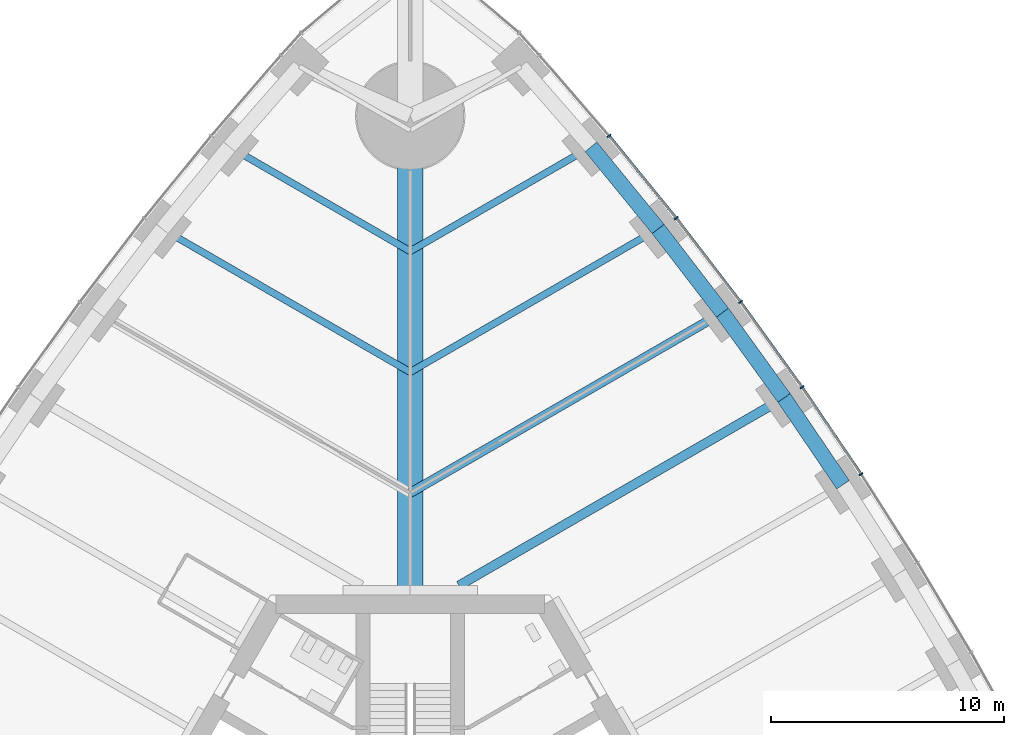
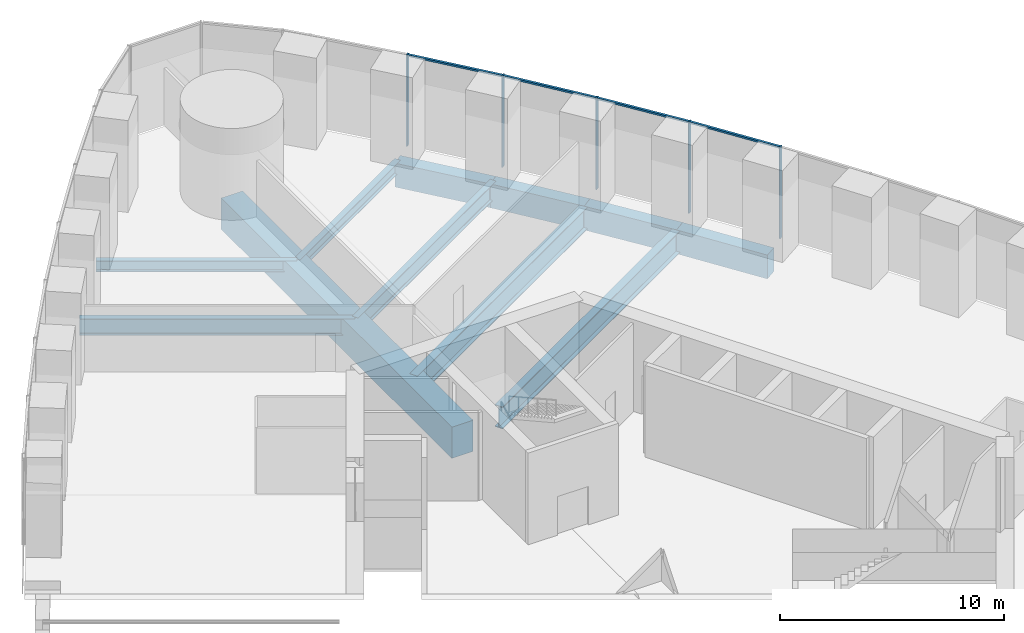
# One storey, part 10 of 21: 11 beams, 9 members, 1 element without a shape of its own.
"""IFC4 building model written with IfcOpenShell, lengths in metres."""

from ifc_helpers import new_model, si_unit, direction, frame, origin, origin_2d, place, context, subcontext, project, spatial, rectangle, i_section, extrude, material, material_profile, profile_set, type_object, element, aggregate, save


model = new_model("IFC4")

# Units and contexts
model_context = context("Model", 3, precision=1e-05, world=origin(), true_north=direction((0.0, 1.0)))
body_context = subcontext(model_context, "Body", "Model", "MODEL_VIEW")
ifc_project = project(units=[si_unit("LENGTHUNIT", "METRE"), si_unit("AREAUNIT", "SQUARE_METRE"), si_unit("VOLUMEUNIT", "CUBIC_METRE"), si_unit("PLANEANGLEUNIT", "RADIAN"), si_unit("MASSUNIT", "GRAM", prefix="KILO")], contexts=[model_context])

# Site, building, storey
site_placement = place(None, origin())
site = spatial("IfcSite", under=ifc_project, at=site_placement, CompositionType="ELEMENT")
building_placement = place(site_placement, origin())
building = spatial("IfcBuilding", under=site, at=building_placement, Name="Trefoil Bronze Tower", CompositionType="ELEMENT")
storey_placement = place(building_placement, frame((0.0, 0.0, 6.5)))
storey = spatial("IfcBuildingStorey", under=building, at=storey_placement, Name="L01", CompositionType="ELEMENT", Elevation=6.5)

# Curtain wall, members
ifc_material_1 = material(Name="Tinted solar-control glass", Category="glass")
curtain_wall_type = type_object("IfcCurtainWallType", Name="Bronze podium storefront curtain wall", PredefinedType="USERDEFINED", material=ifc_material_1)
curtain_wall_placement = place(storey_placement, origin())
curtain_wall = element("IfcCurtainWall", 1, at=curtain_wall_placement, inside=storey, type_object=curtain_wall_type, Name="CW-C L01 F2", ObjectType="CURTAIN WALL", PredefinedType="USERDEFINED")
ifc_material_2 = material(Name="Bronze-finish aluminium", Category="aluminium")
ifc_material_profile_1 = material_profile(ifc_material_2, rectangle(XDim=0.199951171875, YDim=0.06005859375, at=origin_2d()), Name="CW-C mullion")
ifc_profile_set_1 = profile_set([ifc_material_profile_1], Name="Bronze-finish aluminium")
member_type_1 = type_object("IfcMemberType", Name="Bronze podium storefront curtain wall mullion", PredefinedType="MULLION", material=ifc_profile_set_1)
member_1_placement = place(storey_placement, frame((19.38818359375, 21.5927734375, 0.0), z_axis=(0.0, 0.0, 1.0), x_axis=(-0.835543651684, -0.549424067665, 0.0)))
member_1 = element("IfcMember", 2, at=member_1_placement, type_object=member_type_1, Name="CW-C L01 F2 mullion 11", PredefinedType="MULLION", context=body_context, shape_type="SweptSolid", body=[
    extrude(rectangle(XDim=0.199951171875, YDim=0.06005859375, at=origin_2d()), origin(), (0.0, 0.0, 1.0), 4.97998046875),
])
member_2_placement = place(storey_placement, frame((16.853271484375, 25.32861328125, 0.0), z_axis=(0.0, 0.0, 1.0), x_axis=(-0.819204207116, -0.573501932903, 0.0)))
member_2 = element("IfcMember", 3, at=member_2_placement, type_object=member_type_1, Name="CW-C L01 F2 mullion 12", PredefinedType="MULLION", context=body_context, shape_type="SweptSolid", body=[
    extrude(rectangle(XDim=0.199951171875, YDim=0.06005859375, at=origin_2d()), origin(), (0.0, 0.0, 1.0), 4.97998046875),
])
member_3_placement = place(storey_placement, frame((14.20361328125, 28.99853515625, 0.0), z_axis=(0.0, 0.0, 1.0), x_axis=(-0.802126748469, -0.59715381552, 0.0)))
member_3 = element("IfcMember", 4, at=member_3_placement, type_object=member_type_1, Name="CW-C L01 F2 mullion 13", PredefinedType="MULLION", context=body_context, shape_type="SweptSolid", body=[
    extrude(rectangle(XDim=0.199951171875, YDim=0.06005859375, at=origin_2d()), origin(), (0.0, 0.0, 1.0), 4.97998046875),
])
member_4_placement = place(storey_placement, frame((11.4384765625, 32.6015625, 0.0), z_axis=(0.0, 0.0, 1.0), x_axis=(-0.784304615744, -0.620375910011, 0.0)))
member_4 = element("IfcMember", 5, at=member_4_placement, type_object=member_type_1, Name="CW-C L01 F2 mullion 14", PredefinedType="MULLION", context=body_context, shape_type="SweptSolid", body=[
    extrude(rectangle(XDim=0.199951171875, YDim=0.06005859375, at=origin_2d()), origin(), (0.0, 0.0, 1.0), 4.97998046875),
])
member_5_placement = place(storey_placement, frame((8.556640625, 36.13720703125, 0.0), z_axis=(0.0, 0.0, 1.0), x_axis=(-0.765729101889, -0.643163231629, 0.0)))
member_5 = element("IfcMember", 6, at=member_5_placement, type_object=member_type_1, Name="CW-C L01 F2 mullion 15", PredefinedType="MULLION", context=body_context, shape_type="SweptSolid", body=[
    extrude(rectangle(XDim=0.199951171875, YDim=0.06005859375, at=origin_2d()), origin(), (0.0, 0.0, 1.0), 4.97998046875),
])
ifc_material_3 = material(Name="Bronze-finish aluminium", Category="aluminium")
ifc_material_profile_2 = material_profile(ifc_material_3, rectangle(XDim=0.1201171875, YDim=0.10009765625, at=origin_2d()), Name="CW-C transom")
ifc_profile_set_2 = profile_set([ifc_material_profile_2], Name="Bronze-finish aluminium")
member_type_2 = type_object("IfcMemberType", Name="Bronze podium storefront curtain wall transom", PredefinedType="USERDEFINED", material=ifc_profile_set_2)
member_6_placement = place(storey_placement, frame((19.37060546875, 21.618896484375, 4.929931640625), z_axis=(-0.561502759392, 0.827474864388, 0.0), x_axis=(-0.827474864388, -0.561502759392, 0.0)))
member_6 = element("IfcMember", 7, at=member_6_placement, type_object=member_type_2, Name="CW-C L01 F2 transom 11", ObjectType="TRANSOM", PredefinedType="USERDEFINED", context=body_context, shape_type="SweptSolid", body=[
    extrude(rectangle(XDim=0.1201171875, YDim=0.10009765625, at=origin_2d()), origin(), (0.0, 0.0, 1.0), 4.451904296875),
])
member_7_placement = place(storey_placement, frame((16.834716796875, 25.354248046875, 4.929931640625), z_axis=(-0.585390692876, 0.810751340853, 0.0), x_axis=(-0.810751340853, -0.585390692876, 0.0)))
member_7 = element("IfcMember", 8, at=member_7_placement, type_object=member_type_2, Name="CW-C L01 F2 transom 12", ObjectType="TRANSOM", PredefinedType="USERDEFINED", context=body_context, shape_type="SweptSolid", body=[
    extrude(rectangle(XDim=0.1201171875, YDim=0.10009765625, at=origin_2d()), origin(), (0.0, 0.0, 1.0), 4.46337890625),
])
member_8_placement = place(storey_placement, frame((14.1845703125, 29.0234375, 4.929931640625), z_axis=(-0.608806818405, 0.79331850972, 0.0), x_axis=(-0.79331850972, -0.608806818405, 0.0)))
member_8 = element("IfcMember", 9, at=member_8_placement, type_object=member_type_2, Name="CW-C L01 F2 transom 13", ObjectType="TRANSOM", PredefinedType="USERDEFINED", context=body_context, shape_type="SweptSolid", body=[
    extrude(rectangle(XDim=0.1201171875, YDim=0.10009765625, at=origin_2d()), origin(), (0.0, 0.0, 1.0), 4.47900390625),
])
member_9_placement = place(storey_placement, frame((11.418701171875, 32.6259765625, 4.929931640625), z_axis=(-0.631829981334, 0.77510700854, 0.0), x_axis=(-0.77510700854, -0.631829981334, 0.0)))
member_9 = element("IfcMember", 10, at=member_9_placement, type_object=member_type_2, Name="CW-C L01 F2 transom 14", ObjectType="TRANSOM", PredefinedType="USERDEFINED", context=body_context, shape_type="SweptSolid", body=[
    extrude(rectangle(XDim=0.1201171875, YDim=0.10009765625, at=origin_2d()), origin(), (0.0, 0.0, 1.0), 4.49853515625),
])
aggregate(curtain_wall, [member_1, member_2, member_3, member_4, member_5, member_6, member_7, member_8, member_9])

# Beams
ifc_material_4 = material(Name="Concrete B80", Category="concrete")
ifc_material_profile_3 = material_profile(ifc_material_4, rectangle(XDim=1.10009765625, YDim=1.699951171875, at=origin_2d()), Name="RC 1100x1700")
ifc_profile_set_3 = profile_set([ifc_material_profile_3], Name="Concrete B80")
beam_type_1 = type_object("IfcBeamType", Name="Corner girder RC 1100x1700", PredefinedType="BEAM", material=ifc_profile_set_3)
beam_1_placement = place(storey_placement, frame((0.0, 16.39990234375, -1.050048828125), z_axis=(0.0, 1.0, 0.0), x_axis=(-1.0, 0.0, 0.0)))
element("IfcBeam", 11, at=beam_1_placement, inside=storey, type_object=beam_type_1, Name="Corner girder K2 L01", PredefinedType="BEAM", context=body_context, shape_type="SweptSolid", body=[
    extrude(rectangle(XDim=1.10009765625, YDim=1.699951171875, at=origin_2d()), origin(), (0.0, 0.0, 1.0), 20.60009765625),
])
ifc_material_5 = material(Name="Steel C355", Category="steel")
ifc_material_profile_4 = material_profile(ifc_material_5, i_section(OverallWidth=0.300048828125, OverallDepth=0.60009765625, WebThickness=0.015380859375, FlangeThickness=0.030029296875, FilletRadius=0.027099609375, at=origin_2d()), Name="HEB 600")
ifc_profile_set_4 = profile_set([ifc_material_profile_4], Name="Steel C355")
beam_type_2 = type_object("IfcBeamType", Name="Floor beam HEB 600", PredefinedType="BEAM", material=ifc_profile_set_4)
for number, where, z_axis, x_axis, name in (
    (12, (7.7763671875, 35.666748046875, -0.5), (-0.866022587327, -0.500004878216, 0.0), (0.500004878216, -0.866022587327, 0.0), "Floor beam F2/+6 L01"),
    (13, (-7.7763671875, 35.666748046875, -0.5), (0.866022587327, -0.500004878216, 0.0), (0.500004878216, 0.866022587327, 0.0), "Floor beam F3/-6 L01"),
):
    element("IfcBeam", number, at=place(storey_placement, frame(where, z_axis=z_axis, x_axis=x_axis)), inside=storey, type_object=beam_type_2, Name=name, PredefinedType="BEAM", context=body_context, shape_type="SweptSolid", body=[
        extrude(i_section(OverallWidth=0.300048828125, OverallDepth=0.60009765625, WebThickness=0.015380859375, FlangeThickness=0.030029296875, FilletRadius=0.027099609375, at=origin_2d()), origin(), (0.0, 0.0, 1.0), 8.9794921875),
    ])
ifc_material_6 = material(Name="Steel C355", Category="steel")
ifc_material_profile_5 = material_profile(ifc_material_6, i_section(OverallWidth=0.300048828125, OverallDepth=0.89990234375, WebThickness=0.0185546875, FlangeThickness=0.034912109375, FilletRadius=0.030029296875, at=origin_2d()), Name="HEB 900")
ifc_profile_set_5 = profile_set([ifc_material_profile_5], Name="Steel C355")
beam_type_3 = type_object("IfcBeamType", Name="Floor beam HEB 900", PredefinedType="BEAM", material=ifc_profile_set_5)
for number, where, z_axis, x_axis, name in (
    (14, (10.659912109375, 32.13525390625, -0.64990234375), (-0.866024070878, -0.500002308654, 0.0), (0.500002308654, -0.866024070878, 0.0), "Floor beam F2/+5 L01"),
    (15, (-10.659912109375, 32.13525390625, -0.64990234375), (0.866024070878, -0.500002308654, 0.0), (0.500002308654, 0.866024070878, 0.0), "Floor beam F3/-5 L01"),
):
    element("IfcBeam", number, at=place(storey_placement, frame(where, z_axis=z_axis, x_axis=x_axis)), inside=storey, type_object=beam_type_3, Name=name, PredefinedType="BEAM", context=body_context, shape_type="SweptSolid", body=[
        extrude(i_section(OverallWidth=0.300048828125, OverallDepth=0.89990234375, WebThickness=0.0185546875, FlangeThickness=0.034912109375, FilletRadius=0.030029296875, at=origin_2d()), origin(), (0.0, 0.0, 1.0), 12.30908203125),
    ])
ifc_material_7 = material(Name="Steel C355", Category="steel")
ifc_material_profile_6 = material_profile(ifc_material_7, i_section(OverallWidth=0.39990234375, OverallDepth=1.199951171875, WebThickness=0.02001953125, FlangeThickness=0.0400390625, FilletRadius=0.010009765625, at=origin_2d()), Name="WPG 1200")
ifc_profile_set_6 = profile_set([ifc_material_profile_6], Name="Steel C355")
beam_type_4 = type_object("IfcBeamType", Name="Floor beam WPG 1200", PredefinedType="BEAM", material=ifc_profile_set_6)
beam_2_placement = place(storey_placement, frame((16.075927734375, 24.869873046875, -0.800048828125), z_axis=(-0.866028401131, -0.499994808408, 0.0), x_axis=(0.499994808408, -0.866028401131, 0.0)))
element("IfcBeam", 16, at=beam_2_placement, inside=storey, type_object=beam_type_4, Name="Floor beam F2/+3 L01", PredefinedType="BEAM", context=body_context, shape_type="SweptSolid", body=[
    extrude(i_section(OverallWidth=0.39990234375, OverallDepth=1.199951171875, WebThickness=0.02001953125, FlangeThickness=0.0400390625, FilletRadius=0.010009765625, at=origin_2d()), origin(), (0.0, 0.0, 1.0), 16.139892578125),
])
beam_3_placement = place(storey_placement, frame((13.42578125, 28.5361328125, -0.800048828125), z_axis=(-0.866022989816, -0.500004181093, 0.0), x_axis=(0.500004181093, -0.866022989816, 0.0)))
element("IfcBeam", 17, at=beam_3_placement, inside=storey, type_object=beam_type_4, Name="Floor beam F2/+4 L01", PredefinedType="BEAM", context=body_context, shape_type="SweptSolid", body=[
    extrude(i_section(OverallWidth=0.39990234375, OverallDepth=1.199951171875, WebThickness=0.02001953125, FlangeThickness=0.0400390625, FilletRadius=0.010009765625, at=origin_2d()), origin(), (0.0, 0.0, 1.0), 15.502685546875),
])
ifc_material_8 = material(Name="Concrete B80", Category="concrete")
ifc_material_profile_7 = material_profile(ifc_material_8, rectangle(XDim=0.64990234375, YDim=1.300048828125, at=origin_2d()), Name="RC 650x1300")
ifc_profile_set_7 = profile_set([ifc_material_profile_7], Name="Concrete B80")
beam_type_5 = type_object("IfcBeamType", Name="Spandrel beam RC 650x1300", PredefinedType="SPANDREL", material=ifc_profile_set_7)
beam_4_placement = place(storey_placement, frame((18.61083984375, 21.13720703125, -0.85009765625), z_axis=(-0.561809680291, 0.827266512758, 0.0), x_axis=(-0.827266512758, -0.561809680291, 0.0)))
element("IfcBeam", 18, at=beam_4_placement, inside=storey, type_object=beam_type_5, Name="Spandrel F2.11 L01", PredefinedType="SPANDREL", context=body_context, shape_type="SweptSolid", body=[
    extrude(rectangle(XDim=0.64990234375, YDim=1.300048828125, at=origin_2d()), origin(), (0.0, 0.0, 1.0), 4.511962890625),
])
beam_5_placement = place(storey_placement, frame((16.075927734375, 24.869873046875, -0.85009765625), z_axis=(-0.585823508301, 0.810438657223, 0.0), x_axis=(-0.810438657223, -0.585823508301, 0.0)))
element("IfcBeam", 19, at=beam_5_placement, inside=storey, type_object=beam_type_5, Name="Spandrel F2.12 L01", PredefinedType="SPANDREL", context=body_context, shape_type="SweptSolid", body=[
    extrude(rectangle(XDim=0.64990234375, YDim=1.300048828125, at=origin_2d()), origin(), (0.0, 0.0, 1.0), 4.523681640625),
])
beam_6_placement = place(storey_placement, frame((13.42578125, 28.5361328125, -0.85009765625), z_axis=(-0.609338992146, 0.792909826305, 0.0), x_axis=(-0.792909826305, -0.609338992146, 0.0)))
element("IfcBeam", 20, at=beam_6_placement, inside=storey, type_object=beam_type_5, Name="Spandrel F2.13 L01", PredefinedType="SPANDREL", context=body_context, shape_type="SweptSolid", body=[
    extrude(rectangle(XDim=0.64990234375, YDim=1.300048828125, at=origin_2d()), origin(), (0.0, 0.0, 1.0), 4.5390625),
])
beam_7_placement = place(storey_placement, frame((10.659912109375, 32.13525390625, -0.85009765625), z_axis=(-0.632467643363, 0.774586780225, 0.0), x_axis=(-0.774586780225, -0.632467643363, 0.0)))
element("IfcBeam", 21, at=beam_7_placement, inside=storey, type_object=beam_type_5, Name="Spandrel F2.14 L01", PredefinedType="SPANDREL", context=body_context, shape_type="SweptSolid", body=[
    extrude(rectangle(XDim=0.64990234375, YDim=1.300048828125, at=origin_2d()), origin(), (0.0, 0.0, 1.0), 4.55908203125),
])

save(model, "model.ifc")
